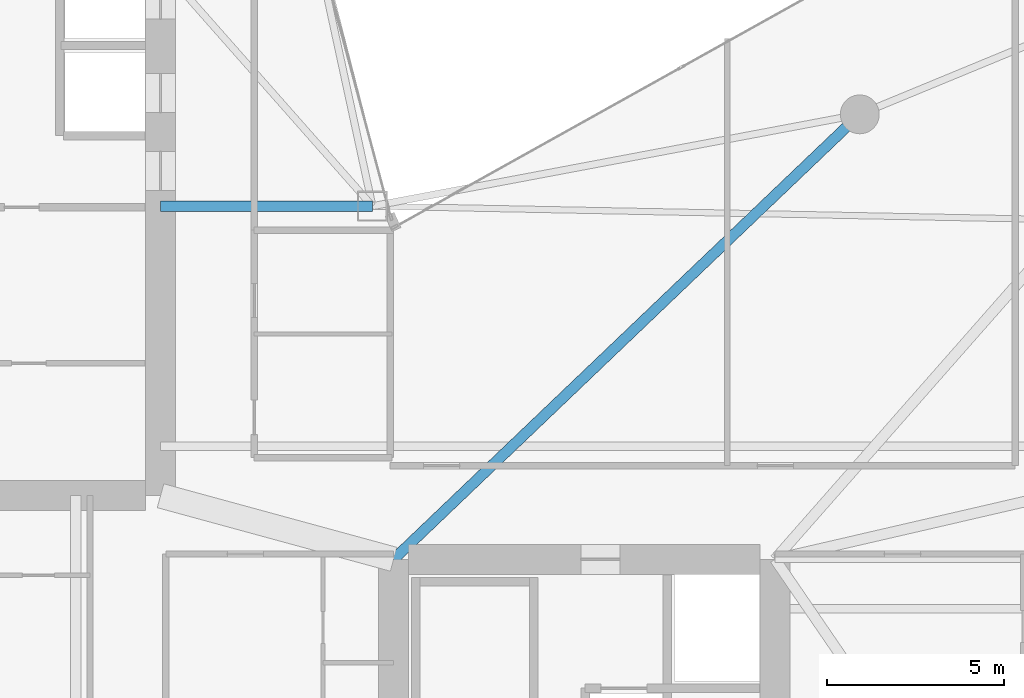
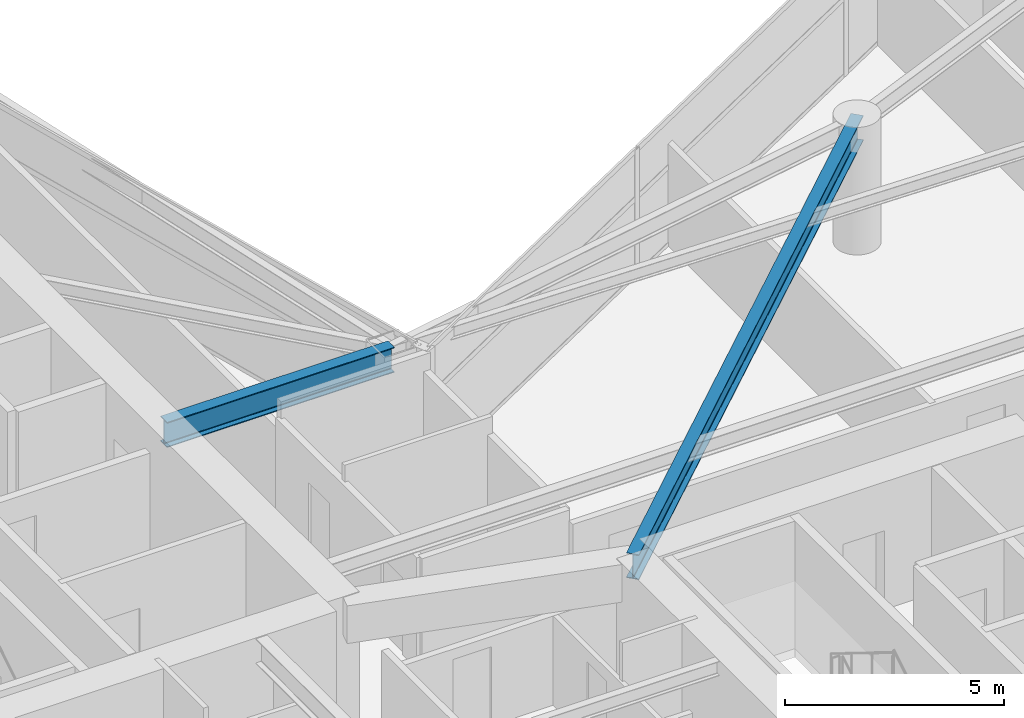
# One storey, part 9 of 28: 2 beams.
"""IFC4 building model written with IfcOpenShell, lengths in metres."""

from ifc_helpers import new_model, si_unit, direction, frame, origin, origin_2d, place, context, subcontext, project, spatial, i_section, extrude, material, material_profile, profile_set, type_object, element, save


model = new_model("IFC4")

# Units and contexts
model_context = context("Model", 3, precision=1e-05, world=origin(), true_north=direction((0.0, 1.0)))
body_context = subcontext(model_context, "Body", "Model", "MODEL_VIEW")
ifc_project = project(units=[si_unit("LENGTHUNIT", "METRE"), si_unit("AREAUNIT", "SQUARE_METRE"), si_unit("VOLUMEUNIT", "CUBIC_METRE"), si_unit("PLANEANGLEUNIT", "RADIAN"), si_unit("MASSUNIT", "GRAM", prefix="KILO")], contexts=[model_context])

# Site, building, storey
site_placement = place(None, origin())
site = spatial("IfcSite", under=ifc_project, at=site_placement, CompositionType="ELEMENT")
building_placement = place(site_placement, origin())
building = spatial("IfcBuilding", under=site, at=building_placement, Name="Calvorn Quay Hotel", CompositionType="ELEMENT")
storey_placement = place(building_placement, frame((0.0, 0.0, 127.800048828125)))
storey = spatial("IfcBuildingStorey", under=building, at=storey_placement, Name="L31", CompositionType="ELEMENT", Elevation=127.800048828125)

# Beams
ifc_material = material(Name="Steel Q390GJC", Category="steel")
ifc_material_profile = material_profile(ifc_material, i_section(OverallWidth=0.300048828125, OverallDepth=0.699951171875, WebThickness=0.012939453125, FlangeThickness=0.02392578125, FilletRadius=0.02392578125, at=origin_2d()), Name="HN700x300x13x24")
ifc_profile_set = profile_set([ifc_material_profile], Name="Steel Q390GJC")
beam_type = type_object("IfcBeamType", Name="BM-GIRD-MAIN", PredefinedType="BEAM", material=ifc_profile_set)
beam_1_placement = place(storey_placement, frame((21.0, 25.0, 3.18994140625), z_axis=(-1.0, 0.0, 0.0), x_axis=(0.0, -1.0, 0.0)))
element("IfcBeam", 1, at=beam_1_placement, inside=storey, type_object=beam_type, Name="Beam BG-L31-W7", PredefinedType="BEAM", context=body_context, shape_type="SweptSolid", body=[
    extrude(i_section(OverallWidth=0.300048828125, OverallDepth=0.699951171875, WebThickness=0.012939453125, FlangeThickness=0.02392578125, FilletRadius=0.02392578125, at=origin_2d()), origin(), (0.0, 0.0, 1.0), 6.0),
])
beam_2_placement = place(storey_placement, frame((21.60009765625, 15.0, 3.18994140625), z_axis=(0.723351595578, 0.690479883252, 0.0), x_axis=(-0.690479883252, 0.723351595578, 0.0)))
element("IfcBeam", 2, at=beam_2_placement, inside=storey, type_object=beam_type, Name="Beam BG-L31-E4", PredefinedType="BEAM", context=body_context, shape_type="SweptSolid", body=[
    extrude(i_section(OverallWidth=0.300048828125, OverallDepth=0.699951171875, WebThickness=0.012939453125, FlangeThickness=0.02392578125, FilletRadius=0.02392578125, at=origin_2d()), origin(), (0.0, 0.0, 1.0), 18.248291015625),
])

save(model, "model.ifc")
